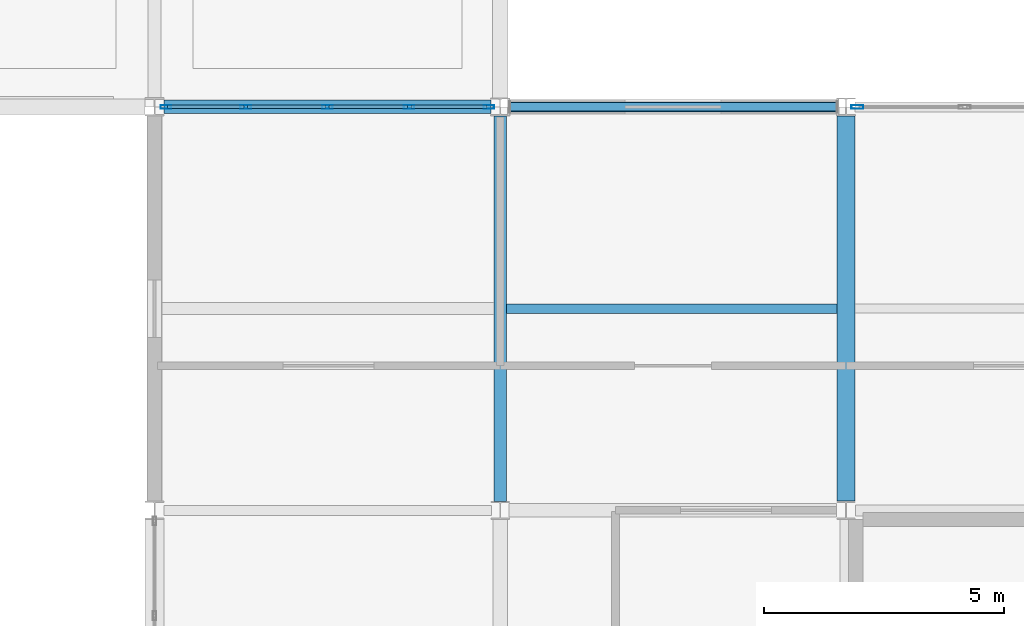
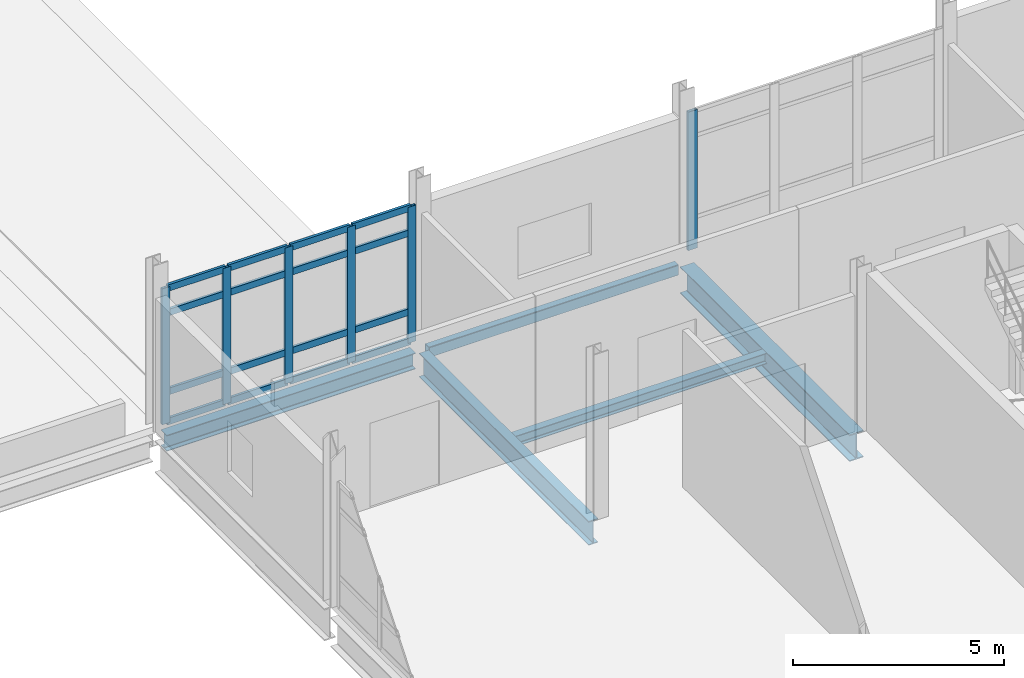
# One storey, part 50 of 153: 22 members, 5 beams, 2 elements without a shape of their own.
"""IFC4 building model written with IfcOpenShell, lengths in metres."""

from ifc_helpers import new_model, si_unit, direction, frame, origin, origin_2d, place, context, subcontext, project, spatial, hollow_rectangle, i_section, extrude, material, layer, layer_set, material_profile, profile_set, type_object, element, aggregate, save


model = new_model("IFC4")

# Units and contexts
model_context = context("Model", 3, precision=1e-05, world=origin(), true_north=direction((0.0, 1.0)))
body_context = subcontext(model_context, "Body", "Model", "MODEL_VIEW")
ifc_project = project(units=[si_unit("LENGTHUNIT", "METRE"), si_unit("AREAUNIT", "SQUARE_METRE"), si_unit("VOLUMEUNIT", "CUBIC_METRE"), si_unit("PLANEANGLEUNIT", "RADIAN"), si_unit("MASSUNIT", "GRAM", prefix="KILO")], contexts=[model_context])

# Site, building, storey
site_placement = place(None, origin())
site = spatial("IfcSite", under=ifc_project, at=site_placement, CompositionType="ELEMENT")
building_placement = place(site_placement, origin())
building = spatial("IfcBuilding", under=site, at=building_placement, Name="Calvrana Isthmian Art Gallery", CompositionType="ELEMENT")
storey_placement = place(building_placement, frame((0.0, 0.0, 10.199951171875)))
storey = spatial("IfcBuildingStorey", under=building, at=storey_placement, Name="L02", CompositionType="ELEMENT", Elevation=10.199951171875)

# Beams
ifc_material_1 = material(Name="Steel ASTM A992 Gr 50", Category="steel")
ifc_material_profile_1 = material_profile(ifc_material_1, i_section(OverallWidth=0.279052734375, OverallDepth=0.4619140625, WebThickness=0.0107421875, FlangeThickness=0.017333984375, FilletRadius=0.02001953125, at=origin_2d()), Name="W18X76")
ifc_profile_set_1 = profile_set([ifc_material_profile_1], Name="Steel ASTM A992 Gr 50")
beam_type_1 = type_object("IfcBeamType", Name="BM-G-W18X76", PredefinedType="BEAM", material=ifc_profile_set_1)
beam_1_placement = place(storey_placement, frame((112.998046875, 46.800048828125, -0.495849609375), z_axis=(1.0, 0.0, 0.0), x_axis=(0.0, 1.0, 0.0)))
element("IfcBeam", 1, at=beam_1_placement, inside=storey, type_object=beam_type_1, Name="Girder X L02 15-16/G", PredefinedType="BEAM", context=body_context, shape_type="SweptSolid", body=[
    extrude(i_section(OverallWidth=0.279052734375, OverallDepth=0.4619140625, WebThickness=0.0107421875, FlangeThickness=0.017333984375, FilletRadius=0.02001953125, at=origin_2d()), origin(), (0.0, 0.0, 1.0), 6.804931640625),
])
ifc_material_profile_2 = material_profile(ifc_material_1, i_section(OverallWidth=0.257080078125, OverallDepth=0.693115234375, WebThickness=0.014404296875, FlangeThickness=0.023681640625, FilletRadius=0.02392578125, at=origin_2d()), Name="W27X114")
ifc_profile_set_2 = profile_set([ifc_material_profile_2], Name="Steel ASTM A992 Gr 50")
beam_type_2 = type_object("IfcBeamType", Name="BM-G-W27X114", PredefinedType="BEAM", material=ifc_profile_set_2)
beam_2_placement = place(storey_placement, frame((120.0, 38.58642578125, -0.611572265625), z_axis=(0.0, 1.0, 0.0), x_axis=(-1.0, 0.0, 0.0)))
element("IfcBeam", 2, at=beam_2_placement, inside=storey, type_object=beam_type_2, Name="Girder Y L02 16/F-G", PredefinedType="BEAM", context=body_context, shape_type="SweptSolid", body=[
    extrude(i_section(OverallWidth=0.257080078125, OverallDepth=0.693115234375, WebThickness=0.014404296875, FlangeThickness=0.023681640625, FilletRadius=0.02392578125, at=origin_2d()), origin(), (0.0, 0.0, 1.0), 8.025634765625),
])
ifc_material_profile_3 = material_profile(ifc_material_1, i_section(OverallWidth=0.381103515625, OverallDepth=0.77197265625, WebThickness=0.0166015625, FlangeThickness=0.027099609375, FilletRadius=0.02490234375, at=origin_2d()), Name="W30X173")
ifc_profile_set_3 = profile_set([ifc_material_profile_3], Name="Steel ASTM A992 Gr 50")
beam_type_3 = type_object("IfcBeamType", Name="BM-G-W30X173", PredefinedType="BEAM", material=ifc_profile_set_3)
beam_3_placement = place(storey_placement, frame((127.199951171875, 38.593017578125, -0.65087890625), z_axis=(0.0, 1.0, 0.0), x_axis=(-1.0, 0.0, 0.0)))
element("IfcBeam", 3, at=beam_3_placement, inside=storey, type_object=beam_type_3, Name="Girder Y L02 17/F-G", PredefinedType="BEAM", context=body_context, shape_type="SweptSolid", body=[
    extrude(i_section(OverallWidth=0.381103515625, OverallDepth=0.77197265625, WebThickness=0.0166015625, FlangeThickness=0.027099609375, FilletRadius=0.02490234375, at=origin_2d()), origin(), (0.0, 0.0, 1.0), 8.0205078125),
])
ifc_material_profile_4 = material_profile(ifc_material_1, i_section(OverallWidth=0.202880859375, OverallDepth=0.302001953125, WebThickness=0.007568359375, FlangeThickness=0.01318359375, FilletRadius=0.01611328125, at=origin_2d()), Name="W12X40")
ifc_profile_set_4 = profile_set([ifc_material_profile_4], Name="Steel ASTM A992 Gr 50")
beam_type_4 = type_object("IfcBeamType", Name="BM-J-W12X40", PredefinedType="JOIST", material=ifc_profile_set_4)
beam_4_placement = place(storey_placement, frame((120.12841796875, 42.60009765625, -0.416015625), z_axis=(1.0, 0.0, 0.0), x_axis=(0.0, 1.0, 0.0)))
element("IfcBeam", 4, at=beam_4_placement, inside=storey, type_object=beam_type_4, Name="Composite joist L02 bay 15-05", PredefinedType="JOIST", context=body_context, shape_type="SweptSolid", body=[
    extrude(i_section(OverallWidth=0.202880859375, OverallDepth=0.302001953125, WebThickness=0.007568359375, FlangeThickness=0.01318359375, FilletRadius=0.01611328125, at=origin_2d()), origin(), (0.0, 0.0, 1.0), 6.881103515625),
])
ifc_material_2 = material(Name="Steel ASTM A500 Gr C", Category="steel")
ifc_material_profile_5 = material_profile(ifc_material_2, hollow_rectangle(XDim=0.203125, YDim=0.3046875, WallThickness=0.0126953125, OuterFilletRadius=0.02490234375, at=origin_2d()), Name="HSS305X203X12.7")
ifc_profile_set_5 = profile_set([ifc_material_profile_5], Name="Steel ASTM A500 Gr C")
beam_type_5 = type_object("IfcBeamType", Name="BM-SP-HSS305", PredefinedType="SPANDREL", material=ifc_profile_set_5)
beam_5_placement = place(storey_placement, frame((120.197021484375, 46.800048828125, -0.417236328125), z_axis=(1.0, 0.0, 0.0), x_axis=(0.0, 1.0, 0.0)))
element("IfcBeam", 5, at=beam_5_placement, inside=storey, type_object=beam_type_5, Name="Girder X L02 16-17/G", PredefinedType="SPANDREL", context=body_context, shape_type="SweptSolid", body=[
    extrude(hollow_rectangle(XDim=0.203125, YDim=0.3046875, WallThickness=0.0126953125, OuterFilletRadius=0.02490234375, at=origin_2d()), origin(), (0.0, 0.0, 1.0), 6.81640625),
])

# Curtain wall, members
ifc_material_3 = material(Name="Anodized bronze aluminium 6063-T6", Category="aluminium")
ifc_layer_1 = layer(ifc_material_3, 0.179931640625, Name="Anodized bronze aluminium 6063-T6")
ifc_layer_set_1 = layer_set([ifc_layer_1], Name="Anodized bronze aluminium 6063-T6")
curtain_wall_type_1 = type_object("IfcCurtainWallType", Name="CW-STICK-068X39", PredefinedType="NOTDEFINED", material=ifc_layer_set_1)
curtain_wall_1_placement = place(storey_placement, origin())
curtain_wall_1 = element("IfcCurtainWall", 6, at=curtain_wall_1_placement, inside=storey, type_object=curtain_wall_type_1, Name="Curtain wall CW-154", PredefinedType="NOTDEFINED")
ifc_material_profile_6 = material_profile(ifc_material_3, hollow_rectangle(XDim=0.074951171875, YDim=0.219970703125, WallThickness=0.0048828125, at=origin_2d()), Name="CWM75X220")
ifc_profile_set_6 = profile_set([ifc_material_profile_6], Name="Anodized bronze aluminium 6063-T6")
member_type_1 = type_object("IfcMemberType", Name="CWM-CWM75X220", PredefinedType="MULLION", material=ifc_profile_set_6)
member_1_placement = place(storey_placement, frame((113.037109375, 46.800048828125, 0.0), z_axis=(0.0, 0.0, 1.0), x_axis=(0.0, 1.0, 0.0)))
member_1 = element("IfcMember", 7, at=member_1_placement, type_object=member_type_1, Name="CW-154 mullion 1", PredefinedType="MULLION", context=body_context, shape_type="SweptSolid", body=[
    extrude(hollow_rectangle(XDim=0.074951171875, YDim=0.219970703125, WallThickness=0.0048828125, at=origin_2d()), origin(), (0.0, 0.0, 1.0), 3.93310546875),
])
member_2_placement = place(storey_placement, frame((114.7001953125, 46.800048828125, 0.0), z_axis=(0.0, 0.0, 1.0), x_axis=(0.0, 1.0, 0.0)))
member_2 = element("IfcMember", 8, at=member_2_placement, type_object=member_type_1, Name="CW-154 mullion 2", PredefinedType="MULLION", context=body_context, shape_type="SweptSolid", body=[
    extrude(hollow_rectangle(XDim=0.074951171875, YDim=0.219970703125, WallThickness=0.0048828125, at=origin_2d()), origin(), (0.0, 0.0, 1.0), 3.93310546875),
])
member_3_placement = place(storey_placement, frame((116.400634765625, 46.800048828125, 0.0), z_axis=(0.0, 0.0, 1.0), x_axis=(0.0, 1.0, 0.0)))
member_3 = element("IfcMember", 9, at=member_3_placement, type_object=member_type_1, Name="CW-154 mullion 3", PredefinedType="MULLION", context=body_context, shape_type="SweptSolid", body=[
    extrude(hollow_rectangle(XDim=0.074951171875, YDim=0.219970703125, WallThickness=0.0048828125, at=origin_2d()), origin(), (0.0, 0.0, 1.0), 3.93310546875),
])
member_4_placement = place(storey_placement, frame((118.101318359375, 46.800048828125, 0.0), z_axis=(0.0, 0.0, 1.0), x_axis=(0.0, 1.0, 0.0)))
member_4 = element("IfcMember", 10, at=member_4_placement, type_object=member_type_1, Name="CW-154 mullion 4", PredefinedType="MULLION", context=body_context, shape_type="SweptSolid", body=[
    extrude(hollow_rectangle(XDim=0.074951171875, YDim=0.219970703125, WallThickness=0.0048828125, at=origin_2d()), origin(), (0.0, 0.0, 1.0), 3.93310546875),
])
member_5_placement = place(storey_placement, frame((119.764404296875, 46.800048828125, 0.0), z_axis=(0.0, 0.0, 1.0), x_axis=(0.0, 1.0, 0.0)))
member_5 = element("IfcMember", 11, at=member_5_placement, type_object=member_type_1, Name="CW-154 mullion 5", PredefinedType="MULLION", context=body_context, shape_type="SweptSolid", body=[
    extrude(hollow_rectangle(XDim=0.074951171875, YDim=0.219970703125, WallThickness=0.0048828125, at=origin_2d()), origin(), (0.0, 0.0, 1.0), 3.93310546875),
])

# Curtain wall, member
ifc_layer_2 = layer(ifc_material_3, 0.179931640625, Name="Anodized bronze aluminium 6063-T6")
ifc_layer_set_2 = layer_set([ifc_layer_2], Name="Anodized bronze aluminium 6063-T6")
curtain_wall_type_2 = type_object("IfcCurtainWallType", Name="CW-UNIT-068X40", PredefinedType="USERDEFINED", material=ifc_layer_set_2)
curtain_wall_2_placement = place(storey_placement, origin())
curtain_wall_2 = element("IfcCurtainWall", 12, at=curtain_wall_2_placement, inside=storey, type_object=curtain_wall_type_2, Name="Curtain wall CW-155", ObjectType="UNITISED CURTAIN WALL", PredefinedType="USERDEFINED")
ifc_material_profile_7 = material_profile(ifc_material_3, hollow_rectangle(XDim=0.080078125, YDim=0.25, WallThickness=0.005615234375, at=origin_2d()), Name="CWM80X250")
ifc_profile_set_7 = profile_set([ifc_material_profile_7], Name="Anodized bronze aluminium 6063-T6")
member_type_2 = type_object("IfcMemberType", Name="CWM-CWM80X250", PredefinedType="MULLION", material=ifc_profile_set_7)
member_6_placement = place(storey_placement, frame((127.43701171875, 46.800048828125, 0.0), z_axis=(0.0, 0.0, 1.0), x_axis=(0.0, 1.0, 0.0)))
member_6 = element("IfcMember", 13, at=member_6_placement, type_object=member_type_2, Name="CW-155 mullion 1", PredefinedType="MULLION", context=body_context, shape_type="SweptSolid", body=[
    extrude(hollow_rectangle(XDim=0.080078125, YDim=0.25, WallThickness=0.005615234375, at=origin_2d()), origin(), (0.0, 0.0, 1.0), 4.007080078125),
])
aggregate(curtain_wall_2, [member_6])

# Member
ifc_material_profile_8 = material_profile(ifc_material_3, hollow_rectangle(XDim=0.074951171875, YDim=0.18994140625, WallThickness=0.00439453125, at=origin_2d()), Name="CWT75X190")
ifc_profile_set_8 = profile_set([ifc_material_profile_8], Name="Anodized bronze aluminium 6063-T6")
member_type_3 = type_object("IfcMemberType", Name="CWT-CWT75X190", PredefinedType="USERDEFINED", material=ifc_profile_set_8)
member_7_placement = place(storey_placement, frame((113.074462890625, 46.800048828125, 0.03759765625), z_axis=(1.0, 0.0, 0.0), x_axis=(0.0, 1.0, 0.0)))
member_7 = element("IfcMember", 14, at=member_7_placement, type_object=member_type_3, Name="CW-154 transom 1.1", ObjectType="TRANSOM", PredefinedType="USERDEFINED", context=body_context, shape_type="SweptSolid", body=[
    extrude(hollow_rectangle(XDim=0.074951171875, YDim=0.18994140625, WallThickness=0.00439453125, at=origin_2d()), origin(), (0.0, 0.0, 1.0), 1.588134765625),
])

member_8_placement = place(storey_placement, frame((113.074462890625, 46.800048828125, 0.900146484375), z_axis=(1.0, 0.0, 0.0), x_axis=(0.0, 1.0, 0.0)))
member_8 = element("IfcMember", 15, at=member_8_placement, type_object=member_type_3, Name="CW-154 transom 1.2", ObjectType="TRANSOM", PredefinedType="USERDEFINED", context=body_context, shape_type="SweptSolid", body=[
    extrude(hollow_rectangle(XDim=0.074951171875, YDim=0.18994140625, WallThickness=0.00439453125, at=origin_2d()), origin(), (0.0, 0.0, 1.0), 1.588134765625),
])

member_9_placement = place(storey_placement, frame((113.074462890625, 46.800048828125, 3.18310546875), z_axis=(1.0, 0.0, 0.0), x_axis=(0.0, 1.0, 0.0)))
member_9 = element("IfcMember", 16, at=member_9_placement, type_object=member_type_3, Name="CW-154 transom 1.3", ObjectType="TRANSOM", PredefinedType="USERDEFINED", context=body_context, shape_type="SweptSolid", body=[
    extrude(hollow_rectangle(XDim=0.074951171875, YDim=0.18994140625, WallThickness=0.00439453125, at=origin_2d()), origin(), (0.0, 0.0, 1.0), 1.588134765625),
])

member_10_placement = place(storey_placement, frame((113.074462890625, 46.800048828125, 3.8955078125), z_axis=(1.0, 0.0, 0.0), x_axis=(0.0, 1.0, 0.0)))
member_10 = element("IfcMember", 17, at=member_10_placement, type_object=member_type_3, Name="CW-154 transom 1.4", ObjectType="TRANSOM", PredefinedType="USERDEFINED", context=body_context, shape_type="SweptSolid", body=[
    extrude(hollow_rectangle(XDim=0.074951171875, YDim=0.18994140625, WallThickness=0.00439453125, at=origin_2d()), origin(), (0.0, 0.0, 1.0), 1.588134765625),
])

member_11_placement = place(storey_placement, frame((114.737548828125, 46.800048828125, 0.03759765625), z_axis=(1.0, 0.0, 0.0), x_axis=(0.0, 1.0, 0.0)))
member_11 = element("IfcMember", 18, at=member_11_placement, type_object=member_type_3, Name="CW-154 transom 2.1", ObjectType="TRANSOM", PredefinedType="USERDEFINED", context=body_context, shape_type="SweptSolid", body=[
    extrude(hollow_rectangle(XDim=0.074951171875, YDim=0.18994140625, WallThickness=0.00439453125, at=origin_2d()), origin(), (0.0, 0.0, 1.0), 1.625732421875),
])

member_12_placement = place(storey_placement, frame((114.737548828125, 46.800048828125, 0.900146484375), z_axis=(1.0, 0.0, 0.0), x_axis=(0.0, 1.0, 0.0)))
member_12 = element("IfcMember", 19, at=member_12_placement, type_object=member_type_3, Name="CW-154 transom 2.2", ObjectType="TRANSOM", PredefinedType="USERDEFINED", context=body_context, shape_type="SweptSolid", body=[
    extrude(hollow_rectangle(XDim=0.074951171875, YDim=0.18994140625, WallThickness=0.00439453125, at=origin_2d()), origin(), (0.0, 0.0, 1.0), 1.625732421875),
])

member_13_placement = place(storey_placement, frame((114.737548828125, 46.800048828125, 3.18310546875), z_axis=(1.0, 0.0, 0.0), x_axis=(0.0, 1.0, 0.0)))
member_13 = element("IfcMember", 20, at=member_13_placement, type_object=member_type_3, Name="CW-154 transom 2.3", ObjectType="TRANSOM", PredefinedType="USERDEFINED", context=body_context, shape_type="SweptSolid", body=[
    extrude(hollow_rectangle(XDim=0.074951171875, YDim=0.18994140625, WallThickness=0.00439453125, at=origin_2d()), origin(), (0.0, 0.0, 1.0), 1.625732421875),
])

member_14_placement = place(storey_placement, frame((114.737548828125, 46.800048828125, 3.8955078125), z_axis=(1.0, 0.0, 0.0), x_axis=(0.0, 1.0, 0.0)))
member_14 = element("IfcMember", 21, at=member_14_placement, type_object=member_type_3, Name="CW-154 transom 2.4", ObjectType="TRANSOM", PredefinedType="USERDEFINED", context=body_context, shape_type="SweptSolid", body=[
    extrude(hollow_rectangle(XDim=0.074951171875, YDim=0.18994140625, WallThickness=0.00439453125, at=origin_2d()), origin(), (0.0, 0.0, 1.0), 1.625732421875),
])

member_15_placement = place(storey_placement, frame((116.438232421875, 46.800048828125, 0.03759765625), z_axis=(1.0, 0.0, 0.0), x_axis=(0.0, 1.0, 0.0)))
member_15 = element("IfcMember", 22, at=member_15_placement, type_object=member_type_3, Name="CW-154 transom 3.1", ObjectType="TRANSOM", PredefinedType="USERDEFINED", context=body_context, shape_type="SweptSolid", body=[
    extrude(hollow_rectangle(XDim=0.074951171875, YDim=0.18994140625, WallThickness=0.00439453125, at=origin_2d()), origin(), (0.0, 0.0, 1.0), 1.625732421875),
])

member_16_placement = place(storey_placement, frame((116.438232421875, 46.800048828125, 0.900146484375), z_axis=(1.0, 0.0, 0.0), x_axis=(0.0, 1.0, 0.0)))
member_16 = element("IfcMember", 23, at=member_16_placement, type_object=member_type_3, Name="CW-154 transom 3.2", ObjectType="TRANSOM", PredefinedType="USERDEFINED", context=body_context, shape_type="SweptSolid", body=[
    extrude(hollow_rectangle(XDim=0.074951171875, YDim=0.18994140625, WallThickness=0.00439453125, at=origin_2d()), origin(), (0.0, 0.0, 1.0), 1.625732421875),
])

member_17_placement = place(storey_placement, frame((116.438232421875, 46.800048828125, 3.18310546875), z_axis=(1.0, 0.0, 0.0), x_axis=(0.0, 1.0, 0.0)))
member_17 = element("IfcMember", 24, at=member_17_placement, type_object=member_type_3, Name="CW-154 transom 3.3", ObjectType="TRANSOM", PredefinedType="USERDEFINED", context=body_context, shape_type="SweptSolid", body=[
    extrude(hollow_rectangle(XDim=0.074951171875, YDim=0.18994140625, WallThickness=0.00439453125, at=origin_2d()), origin(), (0.0, 0.0, 1.0), 1.625732421875),
])

member_18_placement = place(storey_placement, frame((116.438232421875, 46.800048828125, 3.8955078125), z_axis=(1.0, 0.0, 0.0), x_axis=(0.0, 1.0, 0.0)))
member_18 = element("IfcMember", 25, at=member_18_placement, type_object=member_type_3, Name="CW-154 transom 3.4", ObjectType="TRANSOM", PredefinedType="USERDEFINED", context=body_context, shape_type="SweptSolid", body=[
    extrude(hollow_rectangle(XDim=0.074951171875, YDim=0.18994140625, WallThickness=0.00439453125, at=origin_2d()), origin(), (0.0, 0.0, 1.0), 1.625732421875),
])

member_19_placement = place(storey_placement, frame((118.138916015625, 46.800048828125, 0.03759765625), z_axis=(1.0, 0.0, 0.0), x_axis=(0.0, 1.0, 0.0)))
member_19 = element("IfcMember", 26, at=member_19_placement, type_object=member_type_3, Name="CW-154 transom 4.1", ObjectType="TRANSOM", PredefinedType="USERDEFINED", context=body_context, shape_type="SweptSolid", body=[
    extrude(hollow_rectangle(XDim=0.074951171875, YDim=0.18994140625, WallThickness=0.00439453125, at=origin_2d()), origin(), (0.0, 0.0, 1.0), 1.588134765625),
])

member_20_placement = place(storey_placement, frame((118.138916015625, 46.800048828125, 0.900146484375), z_axis=(1.0, 0.0, 0.0), x_axis=(0.0, 1.0, 0.0)))
member_20 = element("IfcMember", 27, at=member_20_placement, type_object=member_type_3, Name="CW-154 transom 4.2", ObjectType="TRANSOM", PredefinedType="USERDEFINED", context=body_context, shape_type="SweptSolid", body=[
    extrude(hollow_rectangle(XDim=0.074951171875, YDim=0.18994140625, WallThickness=0.00439453125, at=origin_2d()), origin(), (0.0, 0.0, 1.0), 1.588134765625),
])

member_21_placement = place(storey_placement, frame((118.138916015625, 46.800048828125, 3.18310546875), z_axis=(1.0, 0.0, 0.0), x_axis=(0.0, 1.0, 0.0)))
member_21 = element("IfcMember", 28, at=member_21_placement, type_object=member_type_3, Name="CW-154 transom 4.3", ObjectType="TRANSOM", PredefinedType="USERDEFINED", context=body_context, shape_type="SweptSolid", body=[
    extrude(hollow_rectangle(XDim=0.074951171875, YDim=0.18994140625, WallThickness=0.00439453125, at=origin_2d()), origin(), (0.0, 0.0, 1.0), 1.588134765625),
])

member_22_placement = place(storey_placement, frame((118.138916015625, 46.800048828125, 3.8955078125), z_axis=(1.0, 0.0, 0.0), x_axis=(0.0, 1.0, 0.0)))
member_22 = element("IfcMember", 29, at=member_22_placement, type_object=member_type_3, Name="CW-154 transom 4.4", ObjectType="TRANSOM", PredefinedType="USERDEFINED", context=body_context, shape_type="SweptSolid", body=[
    extrude(hollow_rectangle(XDim=0.074951171875, YDim=0.18994140625, WallThickness=0.00439453125, at=origin_2d()), origin(), (0.0, 0.0, 1.0), 1.588134765625),
])

aggregate(curtain_wall_1, [member_1, member_2, member_3, member_4, member_5, member_7, member_8, member_9, member_10, member_11, member_12, member_13, member_14, member_15, member_16, member_17, member_18, member_19, member_20, member_21, member_22])

save(model, "model.ifc")
